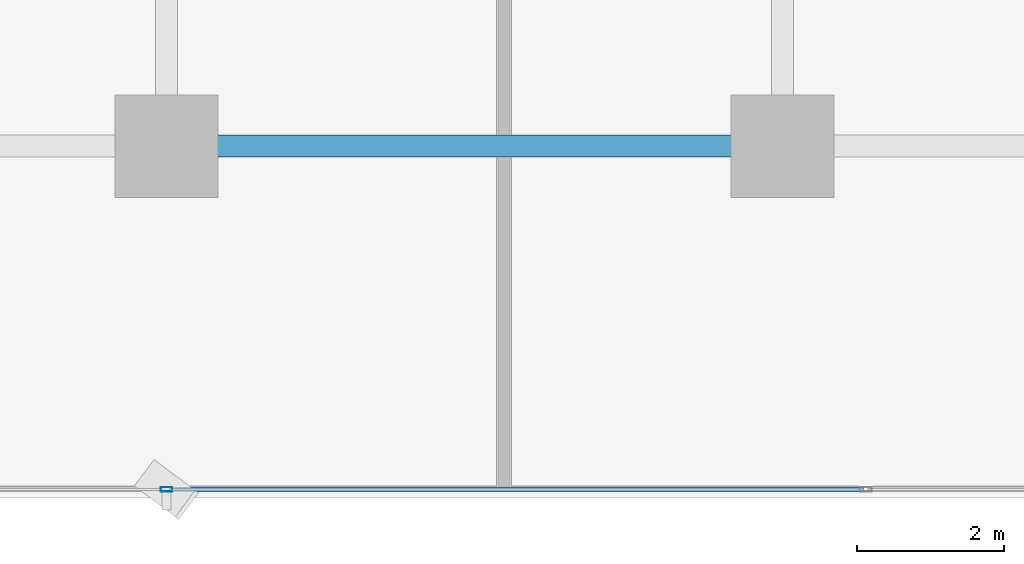
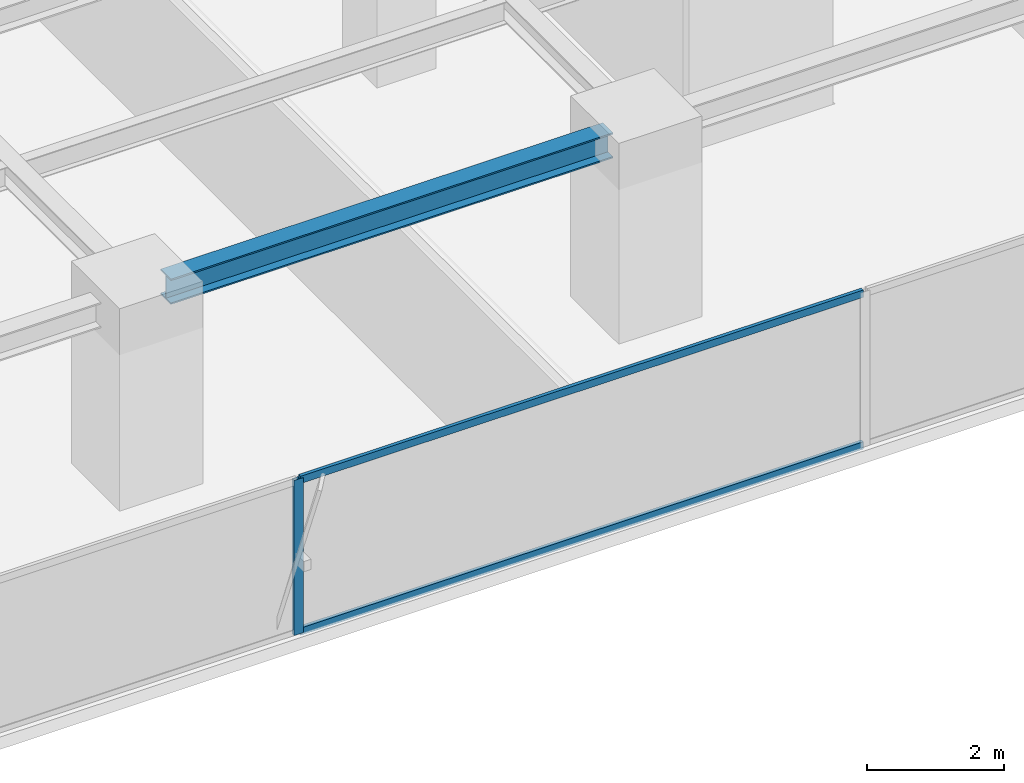
# One storey, part 5 of 27: 3 members, 1 beam, 1 element without a shape of its own.
"""IFC4 building model written with IfcOpenShell, lengths in metres."""

from ifc_helpers import new_model, si_unit, direction, frame, origin, origin_2d, place, context, subcontext, project, spatial, hollow_rectangle, i_section, extrude, source, transform, mapped, material, layer, layer_set, material_profile, profile_set, type_object, element, aggregate, save


model = new_model("IFC4")

# Units and contexts
model_context = context("Model", 3, precision=1e-05, world=origin(), true_north=direction((0.0, 1.0)))
body_context = subcontext(model_context, "Body", "Model", "MODEL_VIEW")
ifc_project = project(units=[si_unit("LENGTHUNIT", "METRE"), si_unit("AREAUNIT", "SQUARE_METRE"), si_unit("VOLUMEUNIT", "CUBIC_METRE"), si_unit("PLANEANGLEUNIT", "RADIAN"), si_unit("MASSUNIT", "GRAM", prefix="KILO")], contexts=[model_context])

# Site, building, storey
site_placement = place(None, origin())
site = spatial("IfcSite", under=ifc_project, at=site_placement, CompositionType="ELEMENT")
building_placement = place(site_placement, origin())
building = spatial("IfcBuilding", under=site, at=building_placement, Name="Sumidabori Civic Tower", CompositionType="ELEMENT")
storey_placement = place(building_placement, frame((0.0, 0.0, 164.0)))
storey = spatial("IfcBuildingStorey", under=building, at=storey_placement, Name="L42", CompositionType="ELEMENT", Elevation=164.0)

# Beam
ifc_material_1 = material(Name="Steel SN490", Category="steel")
ifc_material_profile_1 = material_profile(ifc_material_1, i_section(OverallWidth=0.300048828125, OverallDepth=0.449951171875, WebThickness=0.013916015625, FlangeThickness=0.02587890625, at=origin_2d()), Name="HE 450 B")
ifc_profile_set_1 = profile_set([ifc_material_profile_1], Name="Steel SN490")
beam_type = type_object("IfcBeamType", Name="BM-GIRD-450", PredefinedType="BEAM", material=ifc_profile_set_1)
shared_shape_1 = source(origin(), body_context, "Body", "SweptSolid", [
    extrude(i_section(OverallWidth=0.300048828125, OverallDepth=0.449951171875, WebThickness=0.013916015625, FlangeThickness=0.02587890625, at=origin_2d()), origin(), (0.0, 0.0, 1.0), 7.43994140625),
])
beam_placement = place(storey_placement, frame((0.47998046875, -18.0, 3.155029296875), z_axis=(1.0, 0.0, 0.0), x_axis=(0.0, 1.0, 0.0)))
element("IfcBeam", 1, at=beam_placement, inside=storey, type_object=beam_type, Name="Primary Girder L42 GX-03", PredefinedType="BEAM", context=body_context, shape_type="MappedRepresentation", body=[
    mapped(shared_shape_1, transform((0.0, 0.0, 0.0), x_axis=(1.0, 0.0, 0.0), y_axis=(0.0, 1.0, 0.0), z_axis=(0.0, 0.0, 1.0), scale=1.0)),
])

# Curtain wall, members
ifc_material_2 = material(Name="Anodised Bronze Aluminium AW-6063-T6", Category="aluminium")
ifc_layer = layer(ifc_material_2, 0.179931640625, Name="Anodised Bronze Aluminium AW-6063-T6")
ifc_layer_set = layer_set([ifc_layer], Name="Anodised Bronze Aluminium AW-6063-T6")
curtain_wall_type = type_object("IfcCurtainWallType", Name="CW-SYS-3", PredefinedType="NOTDEFINED", material=ifc_layer_set)
curtain_wall_placement = place(storey_placement, origin())
curtain_wall = element("IfcCurtainWall", 2, at=curtain_wall_placement, inside=storey, type_object=curtain_wall_type, Name="Curtain Wall CW:L42:R01", PredefinedType="NOTDEFINED")
ifc_material_profile_2 = material_profile(ifc_material_2, hollow_rectangle(XDim=0.06494140625, YDim=0.159912109375, WallThickness=0.0048828125, at=origin_2d()), Name="ALU MULLION 160x65")
ifc_profile_set_2 = profile_set([ifc_material_profile_2], Name="Anodised Bronze Aluminium AW-6063-T6")
member_type_1 = type_object("IfcMemberType", Name="CW-MUL-160", PredefinedType="MULLION", material=ifc_profile_set_2)
shared_shape_2 = source(origin(), body_context, "Body", "SweptSolid", [
    extrude(hollow_rectangle(XDim=0.06494140625, YDim=0.159912109375, WallThickness=0.0048828125, at=origin_2d()), origin(), (0.0, 0.0, 1.0), 2.760009765625),
])
member_1_placement = place(storey_placement, frame((0.0, -22.679931640625, 0.0), z_axis=(0.0, 0.0, 1.0), x_axis=(0.0, 1.0, 0.0)))
member_1 = element("IfcMember", 3, at=member_1_placement, type_object=member_type_1, Name="CW-3 mullion 3", PredefinedType="MULLION", context=body_context, shape_type="MappedRepresentation", body=[
    mapped(shared_shape_2, transform((0.0, 0.0, 0.0), x_axis=(1.0, 0.0, 0.0), y_axis=(0.0, 1.0, 0.0), z_axis=(0.0, 0.0, 1.0), scale=1.0)),
])
ifc_material_profile_3 = material_profile(ifc_material_2, hollow_rectangle(XDim=0.06005859375, YDim=0.1298828125, WallThickness=0.0048828125, at=origin_2d()), Name="ALU TRANSOM 130x60")
ifc_profile_set_3 = profile_set([ifc_material_profile_3], Name="Anodised Bronze Aluminium AW-6063-T6")
member_type_2 = type_object("IfcMemberType", Name="CW-TRN-130", PredefinedType="USERDEFINED", material=ifc_profile_set_3)
shared_shape_3 = source(origin(), body_context, "Body", "SweptSolid", [
    extrude(hollow_rectangle(XDim=0.06005859375, YDim=0.1298828125, WallThickness=0.0048828125, at=origin_2d()), origin(), (0.0, 0.0, 1.0), 9.469970703125),
])
member_2_placement = place(storey_placement, frame((0.032470703125, -22.679931640625, 0.030029296875), z_axis=(1.0, 0.0, 0.0), x_axis=(0.0, 1.0, 0.0)))
member_2 = element("IfcMember", 4, at=member_2_placement, type_object=member_type_2, Name="CW-3 transom 3.1", ObjectType="TRANSOM", PredefinedType="USERDEFINED", context=body_context, shape_type="MappedRepresentation", body=[
    mapped(shared_shape_3, transform((0.0, 0.0, 0.0), x_axis=(1.0, 0.0, 0.0), y_axis=(0.0, 1.0, 0.0), z_axis=(0.0, 0.0, 1.0), scale=1.0)),
])
member_3_placement = place(storey_placement, frame((0.032470703125, -22.679931640625, 2.72998046875), z_axis=(1.0, 0.0, 0.0), x_axis=(0.0, 1.0, 0.0)))
member_3 = element("IfcMember", 5, at=member_3_placement, type_object=member_type_2, Name="CW-3 transom 3.2", ObjectType="TRANSOM", PredefinedType="USERDEFINED", context=body_context, shape_type="MappedRepresentation", body=[
    mapped(shared_shape_3, transform((0.0, 0.0, 0.0), x_axis=(1.0, 0.0, 0.0), y_axis=(0.0, 1.0, 0.0), z_axis=(0.0, 0.0, 1.0), scale=1.0)),
])
aggregate(curtain_wall, [member_1, member_2, member_3])

save(model, "model.ifc")
